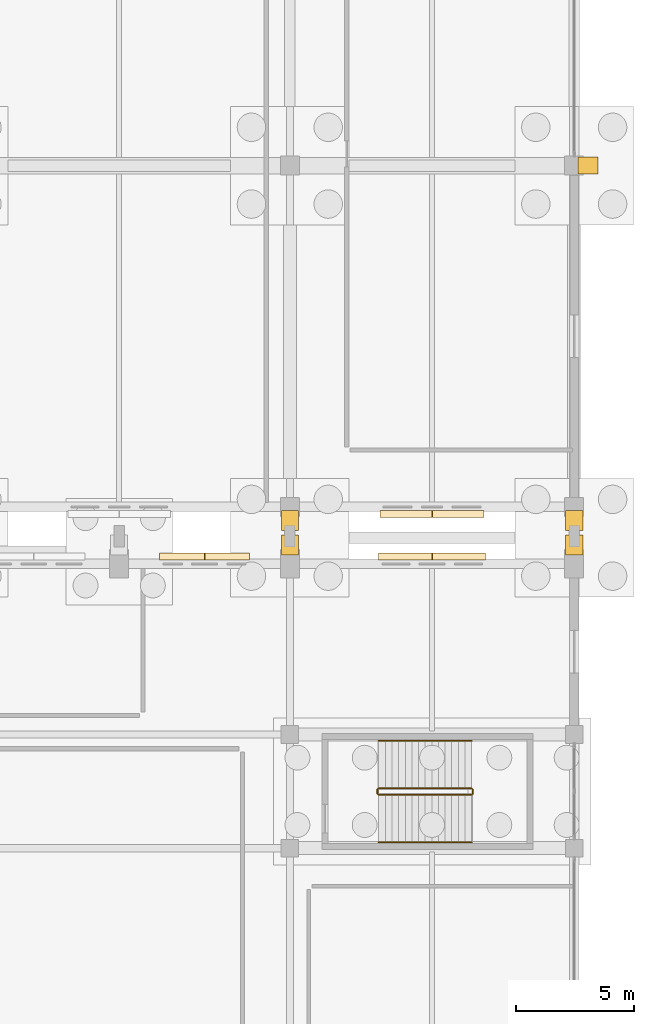
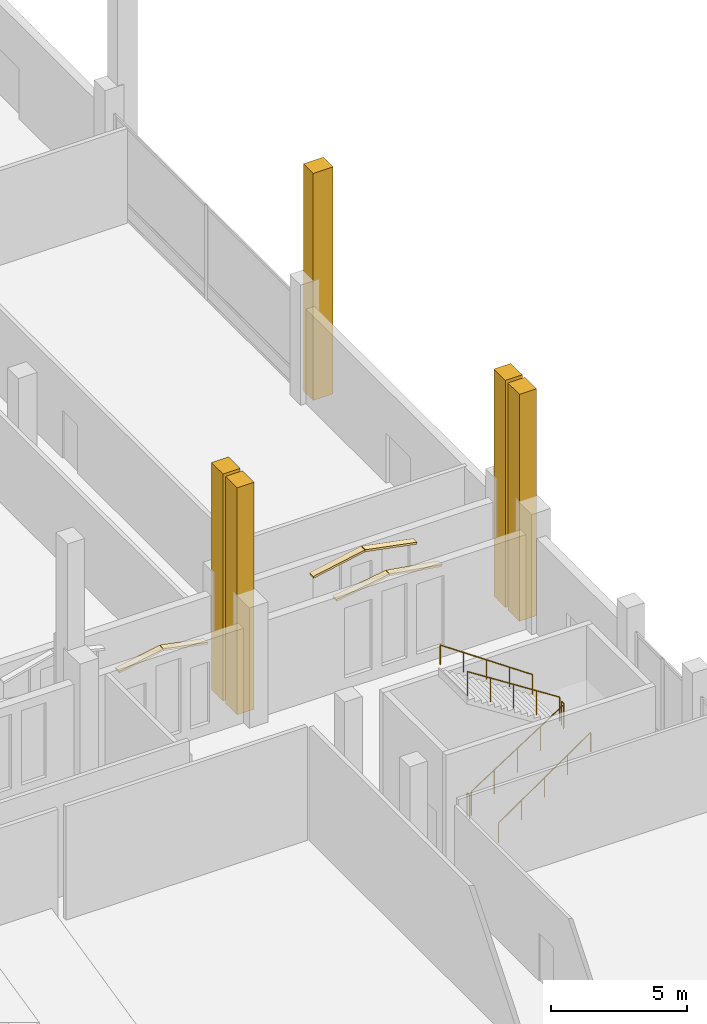
# One storey, part 185 of 192: 11 coverings, 6 railings.
"""IFC4 building model written with IfcOpenShell, lengths in metres."""

from ifc_helpers import new_model, si_unit, direction, frame, origin, origin_2d, place, context, subcontext, project, spatial, polyline, circle, outline, extrude, material, layer, layer_set, type_object, element, save


model = new_model("IFC4")

# Units and contexts
model_context = context("Model", 3, precision=1e-05, world=origin(), true_north=direction((0.0, 1.0)))
body_context = subcontext(model_context, "Body", "Model", "MODEL_VIEW")
ifc_project = project(units=[si_unit("LENGTHUNIT", "METRE"), si_unit("AREAUNIT", "SQUARE_METRE"), si_unit("VOLUMEUNIT", "CUBIC_METRE"), si_unit("PLANEANGLEUNIT", "RADIAN"), si_unit("MASSUNIT", "GRAM", prefix="KILO")], contexts=[model_context])

# Site, building, storey
site_placement = place(None, origin())
site = spatial("IfcSite", under=ifc_project, at=site_placement, CompositionType="ELEMENT")
building_placement = place(site_placement, origin())
building = spatial("IfcBuilding", under=site, at=building_placement, Name="Cendralis Lancet Convention Centre", CompositionType="ELEMENT")
storey_placement = place(building_placement, origin())
storey = spatial("IfcBuildingStorey", under=building, at=storey_placement, Name="L00", CompositionType="ELEMENT", Elevation=0.0)

# Coverings
ifc_material_1 = material(Name="Warm buff sandstone chevron cassette", Category="masonry")
ifc_layer = layer(ifc_material_1, 0.06005859375, Name="Warm buff sandstone chevron cassette")
ifc_layer_set = layer_set([ifc_layer], Name="Warm buff sandstone chevron cassette")
covering_type = type_object("IfcCoveringType", Name="ARC-CV-CLAD1", PredefinedType="CLADDING", material=ifc_layer_set)
covering_1_placement = place(storey_placement, frame((191.31005859375, 91.64990234375, 3.8701171875), z_axis=(-0.185552010671, 0.0, 0.982634444407), x_axis=(0.0, -1.0, 0.0)))
element("IfcCovering", 1, at=covering_1_placement, inside=storey, type_object=covering_type, Name="L00 Gothic Pointed Lancet Hood-Mould #0097L", PredefinedType="CLADDING", context=body_context, shape_type="SweptSolid", body=[
    extrude(outline(polyline([(0.0, 0.0), (0.284912109375, 0.0), (0.284912109375, 1.913104942737559), (0.0, 1.913104942737559), (0.0, 0.0)])), origin(), (0.0, 0.0, -1.0), 0.090087890625),
])
covering_2_placement = place(storey_placement, frame((193.2099609375, 91.64990234375, 4.22509765625), z_axis=(0.185528745545, 0.0, 0.982638837303), x_axis=(0.0, -1.0, 0.0)))
element("IfcCovering", 2, at=covering_2_placement, inside=storey, type_object=covering_type, Name="L00 Gothic Pointed Lancet Hood-Mould #0098R", PredefinedType="CLADDING", context=body_context, shape_type="SweptSolid", body=[
    extrude(outline(polyline([(0.0, 0.0), (0.284912109375, 0.0), (0.284912109375, 1.9133448442612393), (0.0, 1.9133448442612393), (0.0, 0.0)])), origin(), (0.0, 0.0, -1.0), 0.090087890625),
])
for number, where, z_axis, x_axis, name in (
    (3, (200.550048828125, 91.64990234375, 3.8701171875), (-0.15652086586, 0.0, 0.987674652176), (0.0, -1.0, 0.0), "L00 Gothic Pointed Lancet Hood-Mould #0099L"),
    (4, (202.81005859375, 91.64990234375, 4.22509765625), (0.15652086586, 0.0, 0.987674652176), (0.0, -1.0, 0.0), "L00 Gothic Pointed Lancet Hood-Mould #0100R"),
):
    element("IfcCovering", number, at=place(storey_placement, frame(where, z_axis=z_axis, x_axis=x_axis)), inside=storey, type_object=covering_type, Name=name, PredefinedType="CLADDING", context=body_context, shape_type="SweptSolid", body=[
        extrude(outline(polyline([(0.0, 0.0), (0.284912109375, 0.0), (0.284912109375, 2.267943425945484), (0.0, 2.267943425945484), (0.0, 0.0)])), origin(), (0.0, 0.0, -1.0), 0.090087890625),
    ])
covering_3_placement = place(storey_placement, origin())
element("IfcCovering", 5, at=covering_3_placement, inside=storey, type_object=covering_type, Name="Gothic Stepped Stone Buttress Base #0048", PredefinedType="CLADDING", context=body_context, shape_type="SweptSolid", body=[
    extrude(outline(polyline([(197.159912109375, 92.419921875), (196.43994140625, 92.419921875), (196.43994140625, 91.570068359375), (197.159912109375, 91.570068359375), (197.159912109375, 92.419921875)])), origin(), (0.0, 0.0, 1.0), 10.199951171875),
])
covering_4_placement = place(storey_placement, origin())
element("IfcCovering", 6, at=covering_4_placement, inside=storey, type_object=covering_type, Name="Gothic Stepped Stone Buttress Base #0050", PredefinedType="CLADDING", context=body_context, shape_type="SweptSolid", body=[
    extrude(outline(polyline([(209.159912109375, 92.419921875), (208.43994140625, 92.419921875), (208.43994140625, 91.570068359375), (209.159912109375, 91.570068359375), (209.159912109375, 92.419921875)])), origin(), (0.0, 0.0, 1.0), 10.199951171875),
])
for number, where, z_axis, x_axis, name in (
    (7, (205.0, 93.159912109375, 3.800048828125), (0.190535712485, 0.0, 0.981680264785), (0.0, 1.0, 0.0), "L00 Gothic Pointed Lancet Hood-Mould #0179L"),
    (8, (202.7900390625, 93.159912109375, 4.22509765625), (-0.190535712485, 0.0, 0.981680264785), (0.0, 1.0, 0.0), "L00 Gothic Pointed Lancet Hood-Mould #0180R"),
):
    element("IfcCovering", number, at=place(storey_placement, frame(where, z_axis=z_axis, x_axis=x_axis)), inside=storey, type_object=covering_type, Name=name, PredefinedType="CLADDING", context=body_context, shape_type="SweptSolid", body=[
        extrude(outline(polyline([(0.0, 0.0), (0.28515625, 0.0), (0.28515625, 2.2308092408582727), (0.0, 2.2308092408582727), (0.0, 0.0)])), origin(), (0.0, 0.0, -1.0), 0.090087890625),
    ])
covering_5_placement = place(storey_placement, origin())
element("IfcCovering", 9, at=covering_5_placement, inside=storey, type_object=covering_type, Name="Gothic Stepped Stone Buttress Base #0061", PredefinedType="CLADDING", context=body_context, shape_type="SweptSolid", body=[
    extrude(outline(polyline([(196.43994140625, 92.60009765625), (197.159912109375, 92.60009765625), (197.159912109375, 93.449951171875), (196.43994140625, 93.449951171875), (196.43994140625, 92.60009765625)])), origin(), (0.0, 0.0, 1.0), 10.199951171875),
])
covering_6_placement = place(storey_placement, origin())
element("IfcCovering", 10, at=covering_6_placement, inside=storey, type_object=covering_type, Name="Gothic Stepped Stone Buttress Base #0063", PredefinedType="CLADDING", context=body_context, shape_type="SweptSolid", body=[
    extrude(outline(polyline([(208.43994140625, 92.60009765625), (209.159912109375, 92.60009765625), (209.159912109375, 93.449951171875), (208.43994140625, 93.449951171875), (208.43994140625, 92.60009765625)])), origin(), (0.0, 0.0, 1.0), 10.199951171875),
])
covering_7_placement = place(storey_placement, origin())
element("IfcCovering", 11, at=covering_7_placement, inside=storey, type_object=covering_type, Name="Gothic Stepped Stone Buttress Base #0065", PredefinedType="CLADDING", context=body_context, shape_type="SweptSolid", body=[
    extrude(outline(polyline([(209.800048828125, 107.639892578125), (209.800048828125, 108.360107421875), (208.949951171875, 108.360107421875), (208.949951171875, 107.639892578125), (209.800048828125, 107.639892578125)])), origin(), (0.0, 0.0, 1.0), 10.199951171875),
])

# Railings
ifc_material_2 = material(Name="Steel S355", Category="steel")
railing_type_1 = type_object("IfcRailingType", Name="ARC-RL-CGD", PredefinedType="GUARDRAIL", material=ifc_material_2)
railing_1_placement = place(storey_placement, frame((200.550048828125, 81.449951171875, 0.179931640625)))
element("IfcRailing", 12, at=railing_1_placement, inside=storey, type_object=railing_type_1, Name="L00 ST-10 stair guard 1", PredefinedType="GUARDRAIL", context=body_context, shape_type="SweptSolid", body=[
    extrude(circle(Radius=0.02392578125, at=origin_2d()), frame((0.0, 0.0, 1.076171875), z_axis=(0.841171666519, 0.0, 0.540768182723), x_axis=(0.0, 1.0, 0.0)), (0.0, 0.0, 1.0), 4.66015625),
    extrude(circle(Radius=0.02099609375, at=origin_2d()), origin(), (0.0, 0.0, 1.0), 1.052001953125),
    extrude(circle(Radius=0.02099609375, at=origin_2d()), frame((0.97998046875, 0.0, 0.6298828125)), (0.0, 0.0, 1.0), 1.052001953125),
    extrude(circle(Radius=0.02099609375, at=origin_2d()), frame((1.9599609375, 0.0, 1.260009765625)), (0.0, 0.0, 1.0), 1.052001953125),
    extrude(circle(Radius=0.02099609375, at=origin_2d()), frame((2.93994140625, 0.0, 1.89013671875)), (0.0, 0.0, 1.0), 1.052001953125),
    extrude(circle(Radius=0.02099609375, at=origin_2d()), frame((3.919921875, 0.0, 2.52001953125)), (0.0, 0.0, 1.0), 1.052001953125),
])
railing_2_placement = place(storey_placement, frame((204.52001953125, 81.5, 2.699951171875)))
element("IfcRailing", 13, at=railing_2_placement, inside=storey, type_object=railing_type_1, Name="L00 ST-10 stair guard 2", PredefinedType="GUARDRAIL", context=body_context, shape_type="SweptSolid", body=[
    extrude(circle(Radius=0.02392578125, at=origin_2d()), frame((0.0, 0.0, 1.076171875), z_axis=(0.0, 1.0, 0.0), x_axis=(-1.0, 0.0, 0.0)), (0.0, 0.0, 1.0), 0.179931640625),
    extrude(circle(Radius=0.02099609375, at=origin_2d()), origin(), (0.0, 0.0, 1.0), 1.052001953125),
    extrude(circle(Radius=0.02099609375, at=origin_2d()), frame((0.0, 0.179931640625, 0.0)), (0.0, 0.0, 1.0), 1.052001953125),
])
railing_3_placement = place(storey_placement, frame((204.469970703125, 81.72998046875, 2.8798828125)))
element("IfcRailing", 14, at=railing_3_placement, inside=storey, type_object=railing_type_1, Name="L00 ST-10 stair guard 3", PredefinedType="GUARDRAIL", context=body_context, shape_type="SweptSolid", body=[
    extrude(circle(Radius=0.02392578125, at=origin_2d()), frame((0.0, 0.0, 1.076171875), z_axis=(-0.841171666519, 0.0, 0.540768182723), x_axis=(0.0, -1.0, 0.0)), (0.0, 0.0, 1.0), 4.66015625),
    extrude(circle(Radius=0.02099609375, at=origin_2d()), origin(), (0.0, 0.0, 1.0), 1.052001953125),
    extrude(circle(Radius=0.02099609375, at=origin_2d()), frame((-0.97998046875, 0.0, 0.6298828125)), (0.0, 0.0, 1.0), 1.052001953125),
    extrude(circle(Radius=0.02099609375, at=origin_2d()), frame((-1.9599609375, 0.0, 1.260009765625)), (0.0, 0.0, 1.0), 1.052001953125),
    extrude(circle(Radius=0.02099609375, at=origin_2d()), frame((-2.93994140625, 0.0, 1.89013671875)), (0.0, 0.0, 1.0), 1.052001953125),
    extrude(circle(Radius=0.02099609375, at=origin_2d()), frame((-3.919921875, 0.0, 2.52001953125)), (0.0, 0.0, 1.0), 1.052001953125),
])
railing_4_placement = place(storey_placement, frame((200.5, 81.5, 0.0)))
element("IfcRailing", 15, at=railing_4_placement, inside=storey, type_object=railing_type_1, Name="L00 ST-10 stair guard 4", PredefinedType="GUARDRAIL", context=body_context, shape_type="SweptSolid", body=[
    extrude(circle(Radius=0.02392578125, at=origin_2d()), frame((0.0, 0.0, 1.076171875), z_axis=(0.0, 1.0, 0.0), x_axis=(-1.0, 0.0, 0.0)), (0.0, 0.0, 1.0), 0.179931640625),
    extrude(circle(Radius=0.02099609375, at=origin_2d()), origin(), (0.0, 0.0, 1.0), 1.052001953125),
    extrude(circle(Radius=0.02099609375, at=origin_2d()), frame((0.0, 0.179931640625, 0.0)), (0.0, 0.0, 1.0), 1.052001953125),
])
railing_type_2 = type_object("IfcRailingType", Name="ARC-RL-CHR", PredefinedType="HANDRAIL", material=ifc_material_2)
railing_5_placement = place(storey_placement, frame((200.550048828125, 79.449951171875, 0.179931640625)))
element("IfcRailing", 16, at=railing_5_placement, inside=storey, type_object=railing_type_2, Name="L00 ST-10 stair handrail 1", PredefinedType="HANDRAIL", context=body_context, shape_type="SweptSolid", body=[
    extrude(circle(Radius=0.02392578125, at=origin_2d()), frame((0.0, 0.0, 0.8759765625), z_axis=(0.823550731654, 0.0, 0.567242622158), x_axis=(0.0, 1.0, 0.0)), (0.0, 0.0, 1.0), 4.759765625),
    extrude(circle(Radius=0.02099609375, at=origin_2d()), origin(), (0.0, 0.0, 1.0), 0.851806640625),
    extrude(circle(Radius=0.02099609375, at=origin_2d()), frame((0.97998046875, 0.0, 0.675048828125)), (0.0, 0.0, 1.0), 0.851806640625),
    extrude(circle(Radius=0.02099609375, at=origin_2d()), frame((1.9599609375, 0.0, 1.35009765625)), (0.0, 0.0, 1.0), 0.851806640625),
    extrude(circle(Radius=0.02099609375, at=origin_2d()), frame((2.93994140625, 0.0, 2.02490234375)), (0.0, 0.0, 1.0), 0.851806640625),
    extrude(circle(Radius=0.02099609375, at=origin_2d()), frame((3.919921875, 0.0, 2.699951171875)), (0.0, 0.0, 1.0), 0.851806640625),
])
railing_6_placement = place(storey_placement, frame((204.469970703125, 83.72998046875, 2.8798828125)))
element("IfcRailing", 17, at=railing_6_placement, inside=storey, type_object=railing_type_2, Name="L00 ST-10 stair handrail 2", PredefinedType="HANDRAIL", context=body_context, shape_type="SweptSolid", body=[
    extrude(circle(Radius=0.02392578125, at=origin_2d()), frame((0.0, 0.0, 0.8759765625), z_axis=(-0.823526770215, 0.0, 0.56727740898), x_axis=(0.0, -1.0, 0.0)), (0.0, 0.0, 1.0), 4.760009765625),
    extrude(circle(Radius=0.02099609375, at=origin_2d()), origin(), (0.0, 0.0, 1.0), 0.851806640625),
    extrude(circle(Radius=0.02099609375, at=origin_2d()), frame((-0.97998046875, 0.0, 0.675048828125)), (0.0, 0.0, 1.0), 0.851806640625),
    extrude(circle(Radius=0.02099609375, at=origin_2d()), frame((-1.9599609375, 0.0, 1.35009765625)), (0.0, 0.0, 1.0), 0.851806640625),
    extrude(circle(Radius=0.02099609375, at=origin_2d()), frame((-2.93994140625, 0.0, 2.025146484375)), (0.0, 0.0, 1.0), 0.851806640625),
    extrude(circle(Radius=0.02099609375, at=origin_2d()), frame((-3.919921875, 0.0, 2.7001953125)), (0.0, 0.0, 1.0), 0.851806640625),
])

save(model, "model.ifc")
